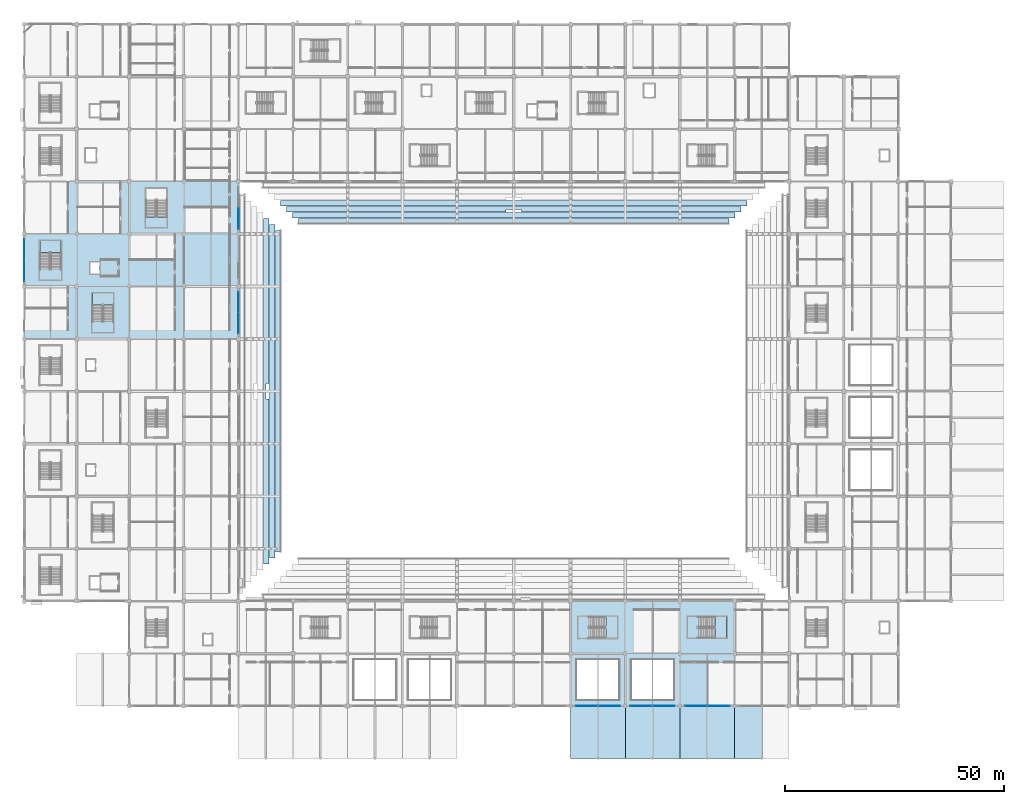
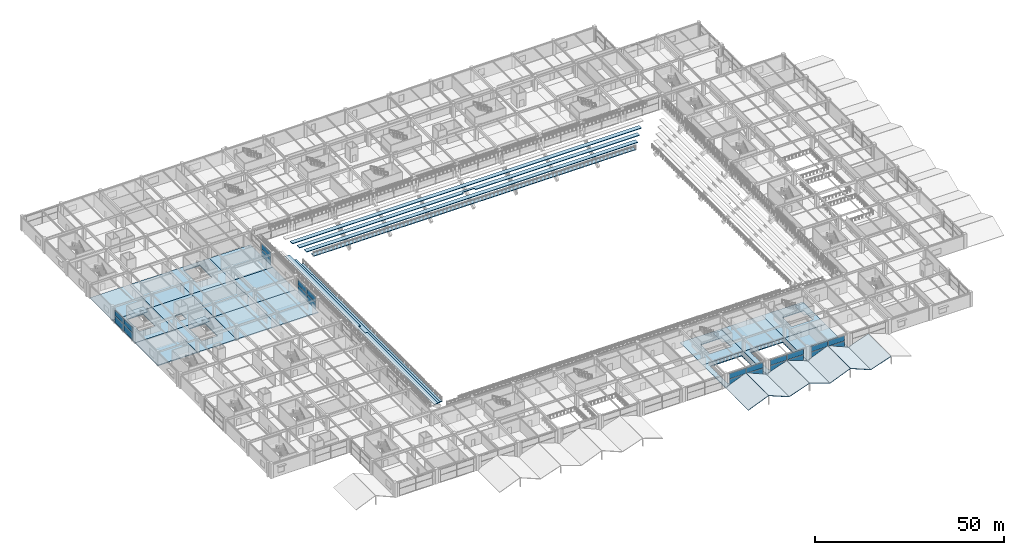
# One storey, part 67 of 134: 36 slabs, 22 plates, 10 elements without a shape of their own.
"""IFC4 building model written with IfcOpenShell, lengths in metres."""

from ifc_helpers import new_model, si_unit, direction, frame, origin, origin_2d, place, context, subcontext, project, spatial, polyline, rectangle, outline, extrude, material, layer, layer_set, type_object, element, aggregate, save


model = new_model("IFC4")

# Units and contexts
model_context = context("Model", 3, precision=1e-05, world=origin(), true_north=direction((0.0, 1.0)))
body_context = subcontext(model_context, "Body", "Model", "MODEL_VIEW")
ifc_project = project(units=[si_unit("LENGTHUNIT", "METRE"), si_unit("AREAUNIT", "SQUARE_METRE"), si_unit("VOLUMEUNIT", "CUBIC_METRE"), si_unit("PLANEANGLEUNIT", "RADIAN"), si_unit("MASSUNIT", "GRAM", prefix="KILO")], contexts=[model_context])

# Site, building, storey
site_placement = place(None, origin())
site = spatial("IfcSite", under=ifc_project, at=site_placement, CompositionType="ELEMENT")
building_placement = place(site_placement, origin())
building = spatial("IfcBuilding", under=site, at=building_placement, Name="Kazenohara Klinker Stadium", CompositionType="ELEMENT")
storey_placement = place(building_placement, frame((0.0, 0.0, 5.39990234375)))
storey = spatial("IfcBuildingStorey", under=building, at=storey_placement, Name="L01", CompositionType="ELEMENT", Elevation=5.39990234375)

# Curtain wall, plates
ifc_material_1 = material(Name="Anodised aluminium and triple glazing", Category="aluminium")
ifc_layer_1 = layer(ifc_material_1, 0.199951171875)
ifc_layer_set_1 = layer_set([ifc_layer_1], Name="Anodised aluminium and triple glazing")
curtain_wall_type_1 = type_object("IfcCurtainWallType", Name="CW-SYS-03", PredefinedType="USERDEFINED", material=ifc_layer_set_1)
curtain_wall_1_placement = place(storey_placement, origin())
curtain_wall_1 = element("IfcCurtainWall", 1, at=curtain_wall_1_placement, inside=storey, type_object=curtain_wall_type_1, Name="Unitised facade curtain wall CW03 L01 Y0-9", ObjectType="UNITISED CURTAIN WALL", PredefinedType="USERDEFINED")
ifc_material_2 = material(Name="Low-e laminated triple glazing", Category="glass")
ifc_layer_2 = layer(ifc_material_2, 0.035888671875)
ifc_layer_set_2 = layer_set([ifc_layer_2], Name="Low-e laminated triple glazing")
plate_type_1 = type_object("IfcPlateType", Name="CW-PNL-36", PredefinedType="CURTAIN_PANEL", material=ifc_layer_set_2)
plate_1_placement = place(storey_placement, frame((0.0, 111.605712890625, 0.065185546875), z_axis=(0.0, 0.0, 1.0), x_axis=(0.0, 1.0, 0.0)))
plate_1 = element("IfcPlate", 2, at=plate_1_placement, type_object=plate_type_1, Name="CW03 panel 1.1", PredefinedType="CURTAIN_PANEL", context=body_context, shape_type="SweptSolid", body=[
    extrude(rectangle(XDim=4.7734375, YDim=0.035888671875, at=origin_2d()), origin(), (0.0, 0.0, 1.0), 2.21240234375),
])
plate_2_placement = place(storey_placement, frame((0.0, 111.605712890625, 2.342529296875), z_axis=(0.0, 0.0, 1.0), x_axis=(0.0, 1.0, 0.0)))
plate_2 = element("IfcPlate", 3, at=plate_2_placement, type_object=plate_type_1, Name="CW03 panel 1.2", PredefinedType="CURTAIN_PANEL", context=body_context, shape_type="SweptSolid", body=[
    extrude(rectangle(XDim=4.7734375, YDim=0.035888671875, at=origin_2d()), origin(), (0.0, 0.0, 1.0), 1.79248046875),
])
plate_3_placement = place(storey_placement, frame((0.0, 116.4443359375, 0.065185546875), z_axis=(0.0, 0.0, 1.0), x_axis=(0.0, 1.0, 0.0)))
plate_3 = element("IfcPlate", 4, at=plate_3_placement, type_object=plate_type_1, Name="CW03 panel 2.1", PredefinedType="CURTAIN_PANEL", context=body_context, shape_type="SweptSolid", body=[
    extrude(rectangle(XDim=4.7734375, YDim=0.035888671875, at=origin_2d()), origin(), (0.0, 0.0, 1.0), 2.21240234375),
])
plate_4_placement = place(storey_placement, frame((0.0, 116.4443359375, 2.342529296875), z_axis=(0.0, 0.0, 1.0), x_axis=(0.0, 1.0, 0.0)))
plate_4 = element("IfcPlate", 5, at=plate_4_placement, type_object=plate_type_1, Name="CW03 panel 2.2", PredefinedType="CURTAIN_PANEL", context=body_context, shape_type="SweptSolid", body=[
    extrude(rectangle(XDim=4.7734375, YDim=0.035888671875, at=origin_2d()), origin(), (0.0, 0.0, 1.0), 1.79248046875),
])
aggregate(curtain_wall_1, [plate_1, plate_2, plate_3, plate_4])

ifc_layer_3 = layer(ifc_material_1, 0.159912109375)
ifc_layer_set_3 = layer_set([ifc_layer_3], Name="Anodised aluminium and triple glazing")
curtain_wall_type_2 = type_object("IfcCurtainWallType", Name="CW-SYS-01", PredefinedType="USERDEFINED", material=ifc_layer_set_3)
curtain_wall_2_placement = place(storey_placement, origin())
curtain_wall_2 = element("IfcCurtainWall", 6, at=curtain_wall_2_placement, inside=storey, type_object=curtain_wall_type_2, Name="Unitised facade curtain wall CW01 L01 Y4-8", ObjectType="UNITISED CURTAIN WALL", PredefinedType="USERDEFINED")
plate_5_placement = place(storey_placement, frame((49.0, 99.605712890625, 0.065185546875), z_axis=(0.0, 0.0, 1.0), x_axis=(0.0, 1.0, 0.0)))
plate_5 = element("IfcPlate", 7, at=plate_5_placement, type_object=plate_type_1, Name="CW01 panel 1.1", PredefinedType="CURTAIN_PANEL", context=body_context, shape_type="SweptSolid", body=[
    extrude(rectangle(XDim=4.7734375, YDim=0.035888671875, at=origin_2d()), origin(), (0.0, 0.0, 1.0), 2.18505859375),
])
plate_6_placement = place(storey_placement, frame((49.0, 99.605712890625, 2.315185546875), z_axis=(0.0, 0.0, 1.0), x_axis=(0.0, 1.0, 0.0)))
plate_6 = element("IfcPlate", 8, at=plate_6_placement, type_object=plate_type_1, Name="CW01 panel 1.2", PredefinedType="CURTAIN_PANEL", context=body_context, shape_type="SweptSolid", body=[
    extrude(rectangle(XDim=4.7734375, YDim=0.035888671875, at=origin_2d()), origin(), (0.0, 0.0, 1.0), 1.77001953125),
])
plate_7_placement = place(storey_placement, frame((49.0, 104.4443359375, 0.065185546875), z_axis=(0.0, 0.0, 1.0), x_axis=(0.0, 1.0, 0.0)))
plate_7 = element("IfcPlate", 9, at=plate_7_placement, type_object=plate_type_1, Name="CW01 panel 2.1", PredefinedType="CURTAIN_PANEL", context=body_context, shape_type="SweptSolid", body=[
    extrude(rectangle(XDim=4.7734375, YDim=0.035888671875, at=origin_2d()), origin(), (0.0, 0.0, 1.0), 2.18505859375),
])
plate_8_placement = place(storey_placement, frame((49.0, 104.4443359375, 2.315185546875), z_axis=(0.0, 0.0, 1.0), x_axis=(0.0, 1.0, 0.0)))
plate_8 = element("IfcPlate", 10, at=plate_8_placement, type_object=plate_type_1, Name="CW01 panel 2.2", PredefinedType="CURTAIN_PANEL", context=body_context, shape_type="SweptSolid", body=[
    extrude(rectangle(XDim=4.7734375, YDim=0.035888671875, at=origin_2d()), origin(), (0.0, 0.0, 1.0), 1.77001953125),
])
aggregate(curtain_wall_2, [plate_5, plate_6, plate_7, plate_8])

ifc_layer_4 = layer(ifc_material_1, 0.18994140625)
ifc_layer_set_4 = layer_set([ifc_layer_4], Name="Anodised aluminium and triple glazing")
curtain_wall_type_3 = type_object("IfcCurtainWallType", Name="CW-SYS-05", PredefinedType="USERDEFINED", material=ifc_layer_set_4)
curtain_wall_3_placement = place(storey_placement, origin())
curtain_wall_3 = element("IfcCurtainWall", 11, at=curtain_wall_3_placement, inside=storey, type_object=curtain_wall_type_3, Name="Unitised facade curtain wall CW05 L01 X10-1", ObjectType="UNITISED CURTAIN WALL", PredefinedType="USERDEFINED")
plate_9_placement = place(storey_placement, frame((128.668212890625, 12.0, 0.065185546875), z_axis=(0.0, 0.0, 1.0), x_axis=(1.0, 0.0, 0.0)))
plate_9 = element("IfcPlate", 12, at=plate_9_placement, type_object=plate_type_1, Name="CW05 panel 1.1", PredefinedType="CURTAIN_PANEL", context=body_context, shape_type="SweptSolid", body=[
    extrude(rectangle(XDim=5.098388671875, YDim=0.035888671875, at=origin_2d()), origin(), (0.0, 0.0, 1.0), 2.21240234375),
])
plate_10_placement = place(storey_placement, frame((128.668212890625, 12.0, 2.342529296875), z_axis=(0.0, 0.0, 1.0), x_axis=(1.0, 0.0, 0.0)))
plate_10 = element("IfcPlate", 13, at=plate_10_placement, type_object=plate_type_1, Name="CW05 panel 1.2", PredefinedType="CURTAIN_PANEL", context=body_context, shape_type="SweptSolid", body=[
    extrude(rectangle(XDim=5.098388671875, YDim=0.035888671875, at=origin_2d()), origin(), (0.0, 0.0, 1.0), 1.79248046875),
])
plate_11_placement = place(storey_placement, frame((133.831787109375, 12.0, 0.065185546875), z_axis=(0.0, 0.0, 1.0), x_axis=(1.0, 0.0, 0.0)))
plate_11 = element("IfcPlate", 14, at=plate_11_placement, type_object=plate_type_1, Name="CW05 panel 2.1", PredefinedType="CURTAIN_PANEL", context=body_context, shape_type="SweptSolid", body=[
    extrude(rectangle(XDim=5.098388671875, YDim=0.035888671875, at=origin_2d()), origin(), (0.0, 0.0, 1.0), 2.21240234375),
])
plate_12_placement = place(storey_placement, frame((133.831787109375, 12.0, 2.342529296875), z_axis=(0.0, 0.0, 1.0), x_axis=(1.0, 0.0, 0.0)))
plate_12 = element("IfcPlate", 15, at=plate_12_placement, type_object=plate_type_1, Name="CW05 panel 2.2", PredefinedType="CURTAIN_PANEL", context=body_context, shape_type="SweptSolid", body=[
    extrude(rectangle(XDim=5.098388671875, YDim=0.035888671875, at=origin_2d()), origin(), (0.0, 0.0, 1.0), 1.79248046875),
])
aggregate(curtain_wall_3, [plate_9, plate_10, plate_11, plate_12])

ifc_layer_5 = layer(ifc_material_1, 0.179931640625)
ifc_layer_set_5 = layer_set([ifc_layer_5], Name="Anodised aluminium and triple glazing")
curtain_wall_type_4 = type_object("IfcCurtainWallType", Name="CW-SYS-02", PredefinedType="USERDEFINED", material=ifc_layer_set_5)
curtain_wall_4_placement = place(storey_placement, origin())
curtain_wall_4 = element("IfcCurtainWall", 16, at=curtain_wall_4_placement, inside=storey, type_object=curtain_wall_type_4, Name="Unitised facade curtain wall CW02 L01 X11-1", ObjectType="UNITISED CURTAIN WALL", PredefinedType="USERDEFINED")
plate_13_placement = place(storey_placement, frame((141.15576171875, 12.0, 0.065185546875), z_axis=(0.0, 0.0, 1.0), x_axis=(1.0, 0.0, 0.0)))
plate_13 = element("IfcPlate", 17, at=plate_13_placement, type_object=plate_type_1, Name="CW02 panel 1.1", PredefinedType="CURTAIN_PANEL", context=body_context, shape_type="SweptSolid", body=[
    extrude(rectangle(XDim=5.073486328125, YDim=0.035888671875, at=origin_2d()), origin(), (0.0, 0.0, 1.0), 2.18505859375),
])
plate_14_placement = place(storey_placement, frame((141.15576171875, 12.0, 2.315185546875), z_axis=(0.0, 0.0, 1.0), x_axis=(1.0, 0.0, 0.0)))
plate_14 = element("IfcPlate", 18, at=plate_14_placement, type_object=plate_type_1, Name="CW02 panel 1.2", PredefinedType="CURTAIN_PANEL", context=body_context, shape_type="SweptSolid", body=[
    extrude(rectangle(XDim=5.073486328125, YDim=0.035888671875, at=origin_2d()), origin(), (0.0, 0.0, 1.0), 1.77001953125),
])
plate_15_placement = place(storey_placement, frame((146.294189453125, 12.0, 0.065185546875), z_axis=(0.0, 0.0, 1.0), x_axis=(1.0, 0.0, 0.0)))
plate_15 = element("IfcPlate", 19, at=plate_15_placement, type_object=plate_type_1, Name="CW02 panel 2.1", PredefinedType="CURTAIN_PANEL", context=body_context, shape_type="SweptSolid", body=[
    extrude(rectangle(XDim=5.073486328125, YDim=0.035888671875, at=origin_2d()), origin(), (0.0, 0.0, 1.0), 2.18505859375),
])
plate_16_placement = place(storey_placement, frame((146.294189453125, 12.0, 2.315185546875), z_axis=(0.0, 0.0, 1.0), x_axis=(1.0, 0.0, 0.0)))
plate_16 = element("IfcPlate", 20, at=plate_16_placement, type_object=plate_type_1, Name="CW02 panel 2.2", PredefinedType="CURTAIN_PANEL", context=body_context, shape_type="SweptSolid", body=[
    extrude(rectangle(XDim=5.073486328125, YDim=0.035888671875, at=origin_2d()), origin(), (0.0, 0.0, 1.0), 1.77001953125),
])
aggregate(curtain_wall_4, [plate_13, plate_14, plate_15, plate_16])

ifc_layer_6 = layer(ifc_material_1, 0.169921875)
ifc_layer_set_6 = layer_set([ifc_layer_6], Name="Anodised aluminium and triple glazing")
curtain_wall_type_5 = type_object("IfcCurtainWallType", Name="CW-SYS-04", PredefinedType="USERDEFINED", material=ifc_layer_set_6)
curtain_wall_5_placement = place(storey_placement, origin())
curtain_wall_5 = element("IfcCurtainWall", 21, at=curtain_wall_5_placement, inside=storey, type_object=curtain_wall_type_5, Name="Unitised facade curtain wall CW04 L01 X12-1", ObjectType="UNITISED CURTAIN WALL", PredefinedType="USERDEFINED")
plate_17_placement = place(storey_placement, frame((153.705810546875, 12.0, 0.065185546875), z_axis=(0.0, 0.0, 1.0), x_axis=(1.0, 0.0, 0.0)))
plate_17 = element("IfcPlate", 22, at=plate_17_placement, type_object=plate_type_1, Name="CW04 panel 1.1", PredefinedType="CURTAIN_PANEL", context=body_context, shape_type="SweptSolid", body=[
    extrude(rectangle(XDim=5.073486328125, YDim=0.035888671875, at=origin_2d()), origin(), (0.0, 0.0, 1.0), 2.21240234375),
])
plate_18_placement = place(storey_placement, frame((153.705810546875, 12.0, 2.342529296875), z_axis=(0.0, 0.0, 1.0), x_axis=(1.0, 0.0, 0.0)))
plate_18 = element("IfcPlate", 23, at=plate_18_placement, type_object=plate_type_1, Name="CW04 panel 1.2", PredefinedType="CURTAIN_PANEL", context=body_context, shape_type="SweptSolid", body=[
    extrude(rectangle(XDim=5.073486328125, YDim=0.035888671875, at=origin_2d()), origin(), (0.0, 0.0, 1.0), 1.79248046875),
])
plate_19_placement = place(storey_placement, frame((158.84423828125, 12.0, 0.065185546875), z_axis=(0.0, 0.0, 1.0), x_axis=(1.0, 0.0, 0.0)))
plate_19 = element("IfcPlate", 24, at=plate_19_placement, type_object=plate_type_1, Name="CW04 panel 2.1", PredefinedType="CURTAIN_PANEL", context=body_context, shape_type="SweptSolid", body=[
    extrude(rectangle(XDim=5.073486328125, YDim=0.035888671875, at=origin_2d()), origin(), (0.0, 0.0, 1.0), 2.21240234375),
])
plate_20_placement = place(storey_placement, frame((158.84423828125, 12.0, 2.342529296875), z_axis=(0.0, 0.0, 1.0), x_axis=(1.0, 0.0, 0.0)))
plate_20 = element("IfcPlate", 25, at=plate_20_placement, type_object=plate_type_1, Name="CW04 panel 2.2", PredefinedType="CURTAIN_PANEL", context=body_context, shape_type="SweptSolid", body=[
    extrude(rectangle(XDim=5.073486328125, YDim=0.035888671875, at=origin_2d()), origin(), (0.0, 0.0, 1.0), 1.79248046875),
])
aggregate(curtain_wall_5, [plate_17, plate_18, plate_19, plate_20])

curtain_wall_6_placement = place(storey_placement, origin())
curtain_wall_6 = element("IfcCurtainWall", 26, at=curtain_wall_6_placement, inside=storey, type_object=curtain_wall_type_4, Name="Unitised facade curtain wall CW02 L01 Y4-10", ObjectType="UNITISED CURTAIN WALL", PredefinedType="USERDEFINED")
ifc_layer_7 = layer(ifc_material_2, 0.0439453125)
ifc_layer_set_7 = layer_set([ifc_layer_7], Name="Low-e laminated triple glazing")
plate_type_2 = type_object("IfcPlateType", Name="CW-PNL-44", PredefinedType="CURTAIN_PANEL", material=ifc_layer_set_7)
plate_21_placement = place(storey_placement, frame((49.0, 123.520751953125, 0.0751953125), z_axis=(0.0, 0.0, 1.0), x_axis=(0.0, 1.0, 0.0)))
plate_21 = element("IfcPlate", 27, at=plate_21_placement, type_object=plate_type_2, Name="CW02 panel 1.1", PredefinedType="CURTAIN_PANEL", context=body_context, shape_type="SweptSolid", body=[
    extrude(rectangle(XDim=4.783447265625, YDim=0.0439453125, at=origin_2d()), origin(), (0.0, 0.0, 1.0), 2.169921875),
])
plate_22_placement = place(storey_placement, frame((49.0, 123.520751953125, 2.320068359375), z_axis=(0.0, 0.0, 1.0), x_axis=(0.0, 1.0, 0.0)))
plate_22 = element("IfcPlate", 28, at=plate_22_placement, type_object=plate_type_2, Name="CW02 panel 1.2", PredefinedType="CURTAIN_PANEL", context=body_context, shape_type="SweptSolid", body=[
    extrude(rectangle(XDim=4.783447265625, YDim=0.0439453125, at=origin_2d()), origin(), (0.0, 0.0, 1.0), 1.7548828125),
])
aggregate(curtain_wall_6, [plate_21, plate_22])

# Slabs
ifc_material_3 = material(Name="Concrete C40/50", Category="concrete")
ifc_layer_8 = layer(ifc_material_3, 0.260009765625)
ifc_layer_set_8 = layer_set([ifc_layer_8], Name="Concrete C40/50")
slab_type_1 = type_object("IfcSlabType", Name="SLB-FLR-260", PredefinedType="FLOOR", material=ifc_layer_set_8)
slab_1_placement = place(storey_placement, frame((0.0, 0.0, -0.260009765625)))
element("IfcSlab", 29, at=slab_1_placement, inside=storey, type_object=slab_type_1, Name="Floor slab FS02 L01 1/J", PredefinedType="FLOOR", context=body_context, shape_type="SweptSolid", body=[
    extrude(outline(polyline([(0.0, 96.0), (12.0, 96.0), (12.0, 108.0), (0.0, 108.0), (0.0, 96.0)])), origin(), (0.0, 0.0, 1.0), 0.260009765625),
])
slab_2_placement = place(storey_placement, frame((0.0, 0.0, -0.260009765625)))
element("IfcSlab", 30, at=slab_2_placement, inside=storey, type_object=slab_type_1, Name="Floor slab FS02 L01 1/K", PredefinedType="FLOOR", context=body_context, shape_type="SweptSolid", body=[
    extrude(outline(polyline([(0.0, 108.0), (12.0, 108.0), (12.0, 120.0), (0.0, 120.0), (0.0, 108.0)]), holes=[polyline([(8.43994140625, 111.9599609375), (8.43994140625, 118.4599609375), (3.56005859375, 118.4599609375), (3.56005859375, 111.9599609375), (8.43994140625, 111.9599609375)])]), origin(), (0.0, 0.0, 1.0), 0.260009765625),
])
slab_3_placement = place(storey_placement, frame((0.0, 0.0, -0.260009765625)))
element("IfcSlab", 31, at=slab_3_placement, inside=storey, type_object=slab_type_1, Name="Floor slab FS02 L01 1/L", PredefinedType="FLOOR", context=body_context, shape_type="SweptSolid", body=[
    extrude(outline(polyline([(0.0, 120.0), (12.0, 120.0), (12.0, 132.0), (0.0, 132.0), (0.0, 120.0)])), origin(), (0.0, 0.0, 1.0), 0.260009765625),
])
slab_4_placement = place(storey_placement, frame((0.0, 0.0, -0.260009765625)))
element("IfcSlab", 32, at=slab_4_placement, inside=storey, type_object=slab_type_1, Name="Floor slab FS02 L01 2/J", PredefinedType="FLOOR", context=body_context, shape_type="SweptSolid", body=[
    extrude(outline(polyline([(12.0, 96.0), (24.0, 96.0), (24.0, 108.0), (12.0, 108.0), (12.0, 96.0)]), holes=[polyline([(20.409912109375, 99.929931640625), (20.409912109375, 106.4599609375), (15.590087890625, 106.4599609375), (15.590087890625, 99.929931640625), (20.409912109375, 99.929931640625)])]), origin(), (0.0, 0.0, 1.0), 0.260009765625),
])
slab_5_placement = place(storey_placement, frame((0.0, 0.0, -0.260009765625)))
element("IfcSlab", 33, at=slab_5_placement, inside=storey, type_object=slab_type_1, Name="Floor slab FS02 L01 2/K", PredefinedType="FLOOR", context=body_context, shape_type="SweptSolid", body=[
    extrude(outline(polyline([(12.0, 108.0), (24.0, 108.0), (24.0, 120.0), (12.0, 120.0), (12.0, 108.0)]), holes=[polyline([(15.14990234375, 110.85009765625), (17.25, 110.85009765625), (17.25, 113.550048828125), (15.14990234375, 113.550048828125), (15.14990234375, 110.85009765625)])]), origin(), (0.0, 0.0, 1.0), 0.260009765625),
])
slab_6_placement = place(storey_placement, frame((0.0, 0.0, -0.260009765625)))
element("IfcSlab", 34, at=slab_6_placement, inside=storey, type_object=slab_type_1, Name="Floor slab FS02 L01 2/L", PredefinedType="FLOOR", context=body_context, shape_type="SweptSolid", body=[
    extrude(outline(polyline([(12.0, 120.0), (24.0, 120.0), (24.0, 132.0), (12.0, 132.0), (12.0, 120.0)])), origin(), (0.0, 0.0, 1.0), 0.260009765625),
])
slab_7_placement = place(storey_placement, frame((0.0, 0.0, -0.260009765625)))
element("IfcSlab", 35, at=slab_7_placement, inside=storey, type_object=slab_type_1, Name="Floor slab FS02 L01 3/J", PredefinedType="FLOOR", context=body_context, shape_type="SweptSolid", body=[
    extrude(outline(polyline([(24.0, 96.0), (36.5, 96.0), (36.5, 108.0), (24.0, 108.0), (24.0, 96.0)])), origin(), (0.0, 0.0, 1.0), 0.260009765625),
])
slab_8_placement = place(storey_placement, frame((0.0, 0.0, -0.260009765625)))
element("IfcSlab", 36, at=slab_8_placement, inside=storey, type_object=slab_type_1, Name="Floor slab FS02 L01 3/K", PredefinedType="FLOOR", context=body_context, shape_type="SweptSolid", body=[
    extrude(outline(polyline([(24.0, 108.0), (36.5, 108.0), (36.5, 120.0), (24.0, 120.0), (24.0, 108.0)])), origin(), (0.0, 0.0, 1.0), 0.260009765625),
])
slab_9_placement = place(storey_placement, frame((0.0, 0.0, -0.260009765625)))
element("IfcSlab", 37, at=slab_9_placement, inside=storey, type_object=slab_type_1, Name="Floor slab FS02 L01 3/L", PredefinedType="FLOOR", context=body_context, shape_type="SweptSolid", body=[
    extrude(outline(polyline([(24.0, 120.0), (36.5, 120.0), (36.5, 132.0), (24.0, 132.0), (24.0, 120.0)]), holes=[polyline([(32.659912109375, 123.929931640625), (32.659912109375, 130.4599609375), (27.840087890625, 130.4599609375), (27.840087890625, 123.929931640625), (32.659912109375, 123.929931640625)])]), origin(), (0.0, 0.0, 1.0), 0.260009765625),
])
slab_10_placement = place(storey_placement, frame((0.0, 0.0, -0.260009765625)))
element("IfcSlab", 38, at=slab_10_placement, inside=storey, type_object=slab_type_1, Name="Floor slab FS02 L01 4/J", PredefinedType="FLOOR", context=body_context, shape_type="SweptSolid", body=[
    extrude(outline(polyline([(36.5, 96.0), (49.0, 96.0), (49.0, 108.0), (36.5, 108.0), (36.5, 96.0)])), origin(), (0.0, 0.0, 1.0), 0.260009765625),
])
slab_11_placement = place(storey_placement, frame((0.0, 0.0, -0.260009765625)))
element("IfcSlab", 39, at=slab_11_placement, inside=storey, type_object=slab_type_1, Name="Floor slab FS02 L01 4/K", PredefinedType="FLOOR", context=body_context, shape_type="SweptSolid", body=[
    extrude(outline(polyline([(36.5, 108.0), (49.0, 108.0), (49.0, 120.0), (36.5, 120.0), (36.5, 108.0)])), origin(), (0.0, 0.0, 1.0), 0.260009765625),
])
slab_12_placement = place(storey_placement, frame((0.0, 0.0, -0.260009765625)))
element("IfcSlab", 40, at=slab_12_placement, inside=storey, type_object=slab_type_1, Name="Floor slab FS02 L01 4/L", PredefinedType="FLOOR", context=body_context, shape_type="SweptSolid", body=[
    extrude(outline(polyline([(36.5, 120.0), (49.0, 120.0), (49.0, 132.0), (36.5, 132.0), (36.5, 120.0)])), origin(), (0.0, 0.0, 1.0), 0.260009765625),
])
slab_13_placement = place(storey_placement, frame((0.0, 0.0, -0.260009765625)))
element("IfcSlab", 41, at=slab_13_placement, inside=storey, type_object=slab_type_1, Name="Floor slab FS02 L01 11/B", PredefinedType="FLOOR", context=body_context, shape_type="SweptSolid", body=[
    extrude(outline(polyline([(125.0, 12.0), (137.5, 12.0), (137.5, 24.0), (125.0, 24.0), (125.0, 12.0)]), holes=[polyline([(126.39990234375, 13.39990234375), (136.10009765625, 13.39990234375), (136.10009765625, 22.60009765625), (126.39990234375, 22.60009765625), (126.39990234375, 13.39990234375)])]), origin(), (0.0, 0.0, 1.0), 0.260009765625),
])
slab_14_placement = place(storey_placement, frame((0.0, 0.0, -0.260009765625)))
element("IfcSlab", 42, at=slab_14_placement, inside=storey, type_object=slab_type_1, Name="Floor slab FS02 L01 11/C", PredefinedType="FLOOR", context=body_context, shape_type="SweptSolid", body=[
    extrude(outline(polyline([(125.0, 24.0), (137.5, 24.0), (137.5, 36.0), (125.0, 36.0), (125.0, 24.0)]), holes=[polyline([(129.199951171875, 27.570068359375), (135.7099609375, 27.570068359375), (135.7099609375, 32.429931640625), (129.199951171875, 32.429931640625), (129.199951171875, 27.570068359375)])]), origin(), (0.0, 0.0, 1.0), 0.260009765625),
])
slab_15_placement = place(storey_placement, frame((0.0, 0.0, -0.260009765625)))
element("IfcSlab", 43, at=slab_15_placement, inside=storey, type_object=slab_type_1, Name="Floor slab FS02 L01 12/B", PredefinedType="FLOOR", context=body_context, shape_type="SweptSolid", body=[
    extrude(outline(polyline([(137.5, 12.0), (150.0, 12.0), (150.0, 24.0), (137.5, 24.0), (137.5, 12.0)]), holes=[polyline([(138.89990234375, 13.39990234375), (148.60009765625, 13.39990234375), (148.60009765625, 22.60009765625), (138.89990234375, 22.60009765625), (138.89990234375, 13.39990234375)])]), origin(), (0.0, 0.0, 1.0), 0.260009765625),
])
slab_16_placement = place(storey_placement, frame((0.0, 0.0, -0.260009765625)))
element("IfcSlab", 44, at=slab_16_placement, inside=storey, type_object=slab_type_1, Name="Floor slab FS02 L01 12/C", PredefinedType="FLOOR", context=body_context, shape_type="SweptSolid", body=[
    extrude(outline(polyline([(137.5, 24.0), (150.0, 24.0), (150.0, 36.0), (137.5, 36.0), (137.5, 24.0)])), origin(), (0.0, 0.0, 1.0), 0.260009765625),
])
slab_17_placement = place(storey_placement, frame((0.0, 0.0, -0.260009765625)))
element("IfcSlab", 45, at=slab_17_placement, inside=storey, type_object=slab_type_1, Name="Floor slab FS02 L01 13/B", PredefinedType="FLOOR", context=body_context, shape_type="SweptSolid", body=[
    extrude(outline(polyline([(150.0, 12.0), (162.5, 12.0), (162.5, 24.0), (150.0, 24.0), (150.0, 12.0)])), origin(), (0.0, 0.0, 1.0), 0.260009765625),
])
slab_18_placement = place(storey_placement, frame((0.0, 0.0, -0.260009765625)))
element("IfcSlab", 46, at=slab_18_placement, inside=storey, type_object=slab_type_1, Name="Floor slab FS02 L01 13/C", PredefinedType="FLOOR", context=body_context, shape_type="SweptSolid", body=[
    extrude(outline(polyline([(150.0, 24.0), (162.5, 24.0), (162.5, 36.0), (150.0, 36.0), (150.0, 24.0)]), holes=[polyline([(154.2099609375, 27.56005859375), (160.7099609375, 27.56005859375), (160.7099609375, 32.43994140625), (154.2099609375, 32.43994140625), (154.2099609375, 27.56005859375)])]), origin(), (0.0, 0.0, 1.0), 0.260009765625),
])

# Stair, slab
stair_type_1 = type_object("IfcStairType", Name="STR-DL-2340", PredefinedType="HALF_TURN_STAIR", material=ifc_material_3)
stair_1_placement = place(storey_placement, origin())
stair_1 = element("IfcStair", 47, at=stair_1_placement, inside=storey, type_object=stair_type_1, Name="L01 Enclosed escape stair ST04", PredefinedType="HALF_TURN_STAIR")
ifc_layer_9 = layer(ifc_material_3, 0.199951171875)
ifc_layer_set_9 = layer_set([ifc_layer_9], Name="Concrete C40/50")
slab_type_2 = type_object("IfcSlabType", Name="SLB-LND-200", PredefinedType="LANDING", material=ifc_layer_set_9)
slab_19_placement = place(storey_placement, frame((0.0, 0.0, 2.2001953125)))
slab_19 = element("IfcSlab", 48, at=slab_19_placement, type_object=slab_type_2, Name="ST04 landing 1", PredefinedType="LANDING", context=body_context, shape_type="SweptSolid", body=[
    extrude(outline(polyline([(8.43994140625, 115.800048828125), (8.43994140625, 118.4599609375), (3.56005859375, 118.4599609375), (3.56005859375, 115.800048828125), (8.43994140625, 115.800048828125)])), origin(), (0.0, 0.0, 1.0), 0.199951171875),
])
aggregate(stair_1, [slab_19])

stair_type_2 = type_object("IfcStairType", Name="STR-DL-2310", PredefinedType="HALF_TURN_STAIR", material=ifc_material_3)
stair_2_placement = place(storey_placement, origin())
stair_2 = element("IfcStair", 49, at=stair_2_placement, inside=storey, type_object=stair_type_2, Name="L01 Enclosed escape stair ST14", PredefinedType="HALF_TURN_STAIR")
slab_20_placement = place(storey_placement, frame((0.0, 0.0, 2.2001953125)))
slab_20 = element("IfcSlab", 50, at=slab_20_placement, type_object=slab_type_2, Name="ST14 landing 1", PredefinedType="LANDING", context=body_context, shape_type="SweptSolid", body=[
    extrude(outline(polyline([(20.409912109375, 103.77001953125), (20.409912109375, 106.4599609375), (15.590087890625, 106.4599609375), (15.590087890625, 103.77001953125), (20.409912109375, 103.77001953125)])), origin(), (0.0, 0.0, 1.0), 0.199951171875),
])
aggregate(stair_2, [slab_20])

stair_type_3 = type_object("IfcStairType", Name="STR-DL-2330", PredefinedType="HALF_TURN_STAIR", material=ifc_material_3)
stair_3_placement = place(storey_placement, origin())
stair_3 = element("IfcStair", 51, at=stair_3_placement, inside=storey, type_object=stair_type_3, Name="L01 Enclosed escape stair ST27", PredefinedType="HALF_TURN_STAIR")
slab_21_placement = place(storey_placement, frame((0.0, 0.0, 2.2001953125)))
slab_21 = element("IfcSlab", 52, at=slab_21_placement, type_object=slab_type_2, Name="ST27 landing 1", PredefinedType="LANDING", context=body_context, shape_type="SweptSolid", body=[
    extrude(outline(polyline([(133.0400390625, 27.570068359375), (135.7099609375, 27.570068359375), (135.7099609375, 32.429931640625), (133.0400390625, 32.429931640625), (133.0400390625, 27.570068359375)])), origin(), (0.0, 0.0, 1.0), 0.199951171875),
])
aggregate(stair_3, [slab_21])

stair_4_placement = place(storey_placement, origin())
stair_4 = element("IfcStair", 53, at=stair_4_placement, inside=storey, type_object=stair_type_1, Name="L01 Enclosed escape stair ST28", PredefinedType="HALF_TURN_STAIR")
slab_22_placement = place(storey_placement, frame((0.0, 0.0, 2.2001953125)))
slab_22 = element("IfcSlab", 54, at=slab_22_placement, type_object=slab_type_2, Name="ST28 landing 1", PredefinedType="LANDING", context=body_context, shape_type="SweptSolid", body=[
    extrude(outline(polyline([(158.050048828125, 27.56005859375), (160.7099609375, 27.56005859375), (160.7099609375, 32.43994140625), (158.050048828125, 32.43994140625), (158.050048828125, 27.56005859375)])), origin(), (0.0, 0.0, 1.0), 0.199951171875),
])
aggregate(stair_4, [slab_22])

# Slabs
ifc_material_4 = material(Name="Steel S355", Category="steel")
ifc_layer_10 = layer(ifc_material_4, 0.169921875)
ifc_layer_set_10 = layer_set([ifc_layer_10], Name="Steel S355")
slab_type_3 = type_object("IfcSlabType", Name="SLB-ROOF-170", PredefinedType="ROOF", material=ifc_layer_set_10)
for number, where, z_axis, x_axis, name in (
    (55, (125.0, 0.0, -0.079833984375), (-0.380383442935, 0.0, 0.924828868678), (0.924828868678, 0.0, 0.380383442935), "Sloped snow-shedding wing roof RS02 L01 11/A A"),
    (56, (131.300048828125, 0.0, 2.47021484375), (0.380383442935, 0.0, 0.924828868678), (0.924828868678, 0.0, -0.380383442935), "Sloped snow-shedding wing roof RS02 L01 11/A B"),
):
    element("IfcSlab", number, at=place(storey_placement, frame(where, z_axis=z_axis, x_axis=x_axis)), inside=storey, type_object=slab_type_3, Name=name, PredefinedType="ROOF", context=body_context, shape_type="SweptSolid", body=[
        extrude(outline(polyline([(0.0, 0.0), (6.703890181040846, 0.0), (6.703890181040846, 12.0), (0.0, 12.0), (0.0, 0.0)])), origin(), (0.0, 0.0, -1.0), 0.169921875),
    ])
for number, where, z_axis, x_axis, name in (
    (57, (137.5, 0.0, -0.079833984375), (-0.327622925614, 0.0, 0.944808561886), (0.944808561886, 0.0, 0.327622925614), "Sloped snow-shedding wing roof RS02 L01 12/A A"),
    (58, (143.800048828125, 0.0, 2.070068359375), (0.327622925614, 0.0, 0.944808561886), (0.944808561886, 0.0, -0.327622925614), "Sloped snow-shedding wing roof RS02 L01 12/A B"),
):
    element("IfcSlab", number, at=place(storey_placement, frame(where, z_axis=z_axis, x_axis=x_axis)), inside=storey, type_object=slab_type_3, Name=name, PredefinedType="ROOF", context=body_context, shape_type="SweptSolid", body=[
        extrude(outline(polyline([(0.0, 0.0), (6.5621242461032345, 0.0), (6.5621242461032345, 12.0), (0.0, 12.0), (0.0, 0.0)])), origin(), (0.0, 0.0, -1.0), 0.169921875),
    ])
for number, where, z_axis, x_axis, name in (
    (59, (150.0, 0.0, -0.079833984375), (-0.380383442935, 0.0, 0.924828868678), (0.924828868678, 0.0, 0.380383442935), "Sloped snow-shedding wing roof RS02 L01 13/A A"),
    (60, (156.300048828125, 0.0, 2.47021484375), (0.380383442935, 0.0, 0.924828868678), (0.924828868678, 0.0, -0.380383442935), "Sloped snow-shedding wing roof RS02 L01 13/A B"),
):
    element("IfcSlab", number, at=place(storey_placement, frame(where, z_axis=z_axis, x_axis=x_axis)), inside=storey, type_object=slab_type_3, Name=name, PredefinedType="ROOF", context=body_context, shape_type="SweptSolid", body=[
        extrude(outline(polyline([(0.0, 0.0), (6.703890181040846, 0.0), (6.703890181040846, 12.0), (0.0, 12.0), (0.0, 0.0)])), origin(), (0.0, 0.0, -1.0), 0.169921875),
    ])
slab_23_placement = place(storey_placement, frame((162.5, 0.0, -0.079833984375), z_axis=(-0.327622925614, 0.0, 0.944808561886), x_axis=(0.944808561886, 0.0, 0.327622925614)))
element("IfcSlab", 61, at=slab_23_placement, inside=storey, type_object=slab_type_3, Name="Sloped snow-shedding wing roof RS02 L01 14/A A", PredefinedType="ROOF", context=body_context, shape_type="SweptSolid", body=[
    extrude(outline(polyline([(0.0, 0.0), (6.5621242461032345, 0.0), (6.5621242461032345, 12.0), (0.0, 12.0), (0.0, 0.0)])), origin(), (0.0, 0.0, -1.0), 0.169921875),
])
ifc_material_5 = material(Name="Precast concrete C50/60", Category="concrete")
ifc_layer_11 = layer(ifc_material_5, 0.2099609375)
ifc_layer_set_11 = layer_set([ifc_layer_11], Name="Precast concrete C50/60")
slab_type_4 = type_object("IfcSlabType", Name="SLB-TIER-210", PredefinedType="USERDEFINED", material=ifc_layer_set_11)
slab_24_placement = place(storey_placement, frame((0.0, 0.0, -0.809814453125)))
element("IfcSlab", 62, at=slab_24_placement, inside=storey, type_object=slab_type_4, Name="Stand lower tier W-05", ObjectType="SEATING TIER", PredefinedType="USERDEFINED", context=body_context, shape_type="SweptSolid", body=[
    extrude(outline(polyline([(54.685791015625, 44.51708984375), (56.01708984375, 44.51708984375), (56.01708984375, 82.199951171875), (55.284912109375, 82.199951171875), (55.284912109375, 85.800048828125), (56.01708984375, 85.800048828125), (56.01708984375, 123.48291015625), (54.685791015625, 123.48291015625), (54.685791015625, 44.51708984375)])), origin(), (0.0, 0.0, 1.0), 0.2099609375),
])
slab_25_placement = place(storey_placement, frame((0.0, 0.0, -1.809814453125)))
element("IfcSlab", 63, at=slab_25_placement, inside=storey, type_object=slab_type_4, Name="Stand lower tier W-06", ObjectType="SEATING TIER", PredefinedType="USERDEFINED", context=body_context, shape_type="SweptSolid", body=[
    extrude(outline(polyline([(56.05712890625, 45.888671875), (57.388671875, 45.888671875), (57.388671875, 122.111328125), (56.05712890625, 122.111328125), (56.05712890625, 45.888671875)])), origin(), (0.0, 0.0, 1.0), 0.2099609375),
])
slab_26_placement = place(storey_placement, frame((0.0, 0.0, -2.809814453125)))
element("IfcSlab", 64, at=slab_26_placement, inside=storey, type_object=slab_type_4, Name="Stand lower tier W-07", ObjectType="SEATING TIER", PredefinedType="USERDEFINED", context=body_context, shape_type="SweptSolid", body=[
    extrude(outline(polyline([(57.4287109375, 47.260009765625), (58.760009765625, 47.260009765625), (58.760009765625, 120.739990234375), (57.4287109375, 120.739990234375), (57.4287109375, 47.260009765625)])), origin(), (0.0, 0.0, 1.0), 0.2099609375),
])
slab_27_placement = place(storey_placement, frame((0.0, 0.0, 0.190185546875)))
element("IfcSlab", 65, at=slab_27_placement, inside=storey, type_object=slab_type_4, Name="Stand lower tier N-04", ObjectType="SEATING TIER", PredefinedType="USERDEFINED", context=body_context, shape_type="SweptSolid", body=[
    extrude(outline(polyline([(58.645751953125, 126.354248046875), (165.354248046875, 126.354248046875), (165.354248046875, 127.685791015625), (58.645751953125, 127.685791015625), (58.645751953125, 126.354248046875)])), origin(), (0.0, 0.0, 1.0), 0.2099609375),
])
slab_28_placement = place(storey_placement, frame((0.0, 0.0, -0.809814453125)))
element("IfcSlab", 66, at=slab_28_placement, inside=storey, type_object=slab_type_4, Name="Stand lower tier N-05", ObjectType="SEATING TIER", PredefinedType="USERDEFINED", context=body_context, shape_type="SweptSolid", body=[
    extrude(outline(polyline([(60.01708984375, 124.98291015625), (110.199951171875, 124.98291015625), (110.199951171875, 125.58203125), (113.800048828125, 125.58203125), (113.800048828125, 124.98291015625), (163.98291015625, 124.98291015625), (163.98291015625, 126.314208984375), (60.01708984375, 126.314208984375), (60.01708984375, 124.98291015625)])), origin(), (0.0, 0.0, 1.0), 0.2099609375),
])
slab_29_placement = place(storey_placement, frame((0.0, 0.0, -1.809814453125)))
element("IfcSlab", 67, at=slab_29_placement, inside=storey, type_object=slab_type_4, Name="Stand lower tier N-06", ObjectType="SEATING TIER", PredefinedType="USERDEFINED", context=body_context, shape_type="SweptSolid", body=[
    extrude(outline(polyline([(61.388671875, 123.611328125), (162.611328125, 123.611328125), (162.611328125, 124.94287109375), (61.388671875, 124.94287109375), (61.388671875, 123.611328125)])), origin(), (0.0, 0.0, 1.0), 0.2099609375),
])
slab_30_placement = place(storey_placement, frame((0.0, 0.0, -2.809814453125)))
element("IfcSlab", 68, at=slab_30_placement, inside=storey, type_object=slab_type_4, Name="Stand lower tier N-07", ObjectType="SEATING TIER", PredefinedType="USERDEFINED", context=body_context, shape_type="SweptSolid", body=[
    extrude(outline(polyline([(62.760009765625, 122.239990234375), (161.239990234375, 122.239990234375), (161.239990234375, 123.5712890625), (62.760009765625, 123.5712890625), (62.760009765625, 122.239990234375)])), origin(), (0.0, 0.0, 1.0), 0.2099609375),
])

save(model, "model.ifc")
